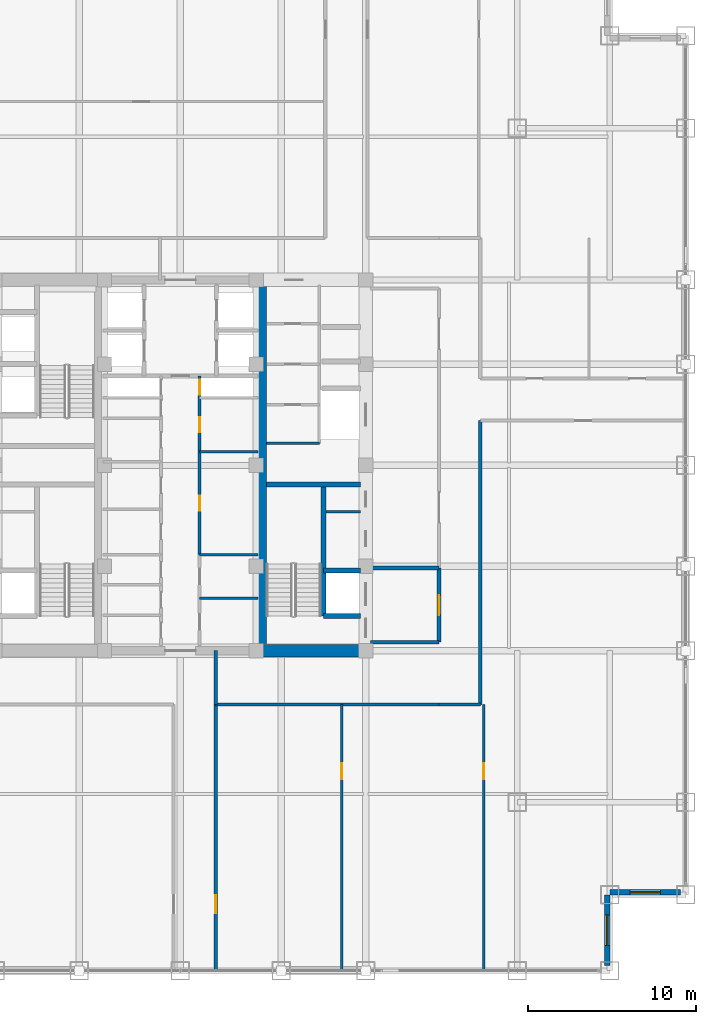
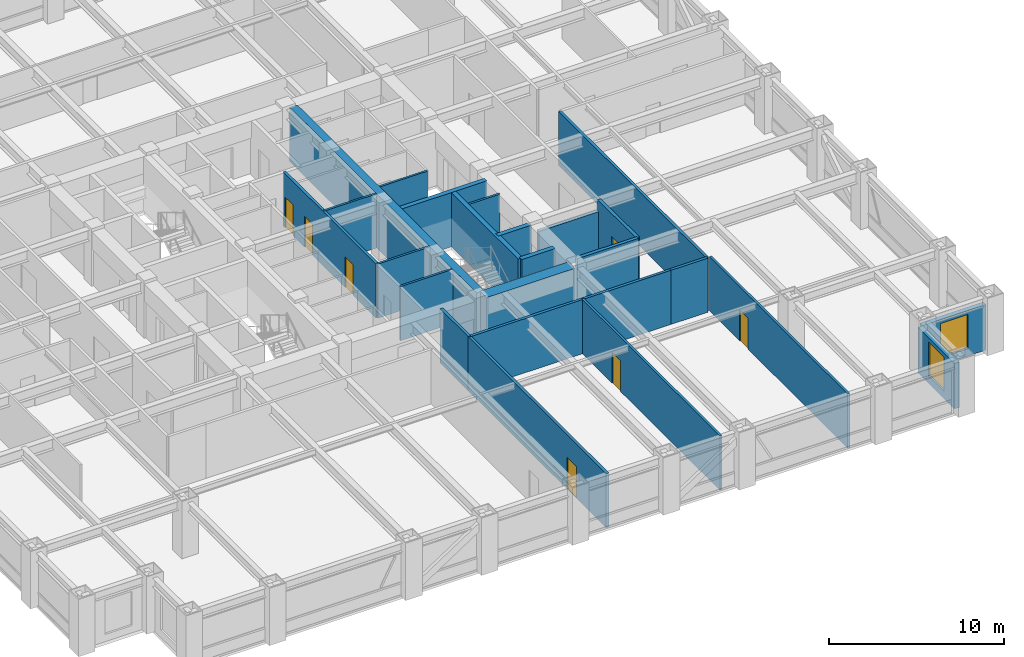
# One storey, part 21 of 25: 24 walls, 7 doors, 2 windows, 9 openings.
"""IFC4 building model written with IfcOpenShell, lengths in metres."""

from ifc_helpers import new_model, si_unit, direction, frame, frame_2d, origin, place, context, subcontext, project, spatial, rectangle, extrude, source, transform, mapped, material, layer, layer_set, type_object, element, fill, save


model = new_model("IFC4")

# Units and contexts
model_context = context("Model", 3, precision=1e-05, world=origin(), true_north=direction((0.0, 1.0)))
body_context = subcontext(model_context, "Body", "Model", "MODEL_VIEW")
ifc_project = project(units=[si_unit("LENGTHUNIT", "METRE"), si_unit("AREAUNIT", "SQUARE_METRE"), si_unit("VOLUMEUNIT", "CUBIC_METRE"), si_unit("PLANEANGLEUNIT", "RADIAN"), si_unit("MASSUNIT", "GRAM", prefix="KILO")], contexts=[model_context])

# Site, building, storey
site_placement = place(None, origin())
site = spatial("IfcSite", under=ifc_project, at=site_placement, CompositionType="ELEMENT")
building_placement = place(site_placement, origin())
building = spatial("IfcBuilding", under=site, at=building_placement, Name="Khorayat Bourse Tower", CompositionType="ELEMENT")
storey_placement = place(building_placement, frame((0.0, 0.0, 195.10009765625)))
storey = spatial("IfcBuildingStorey", under=building, at=storey_placement, Name="L45", CompositionType="ELEMENT", Elevation=195.10009765625)

# Walls
ifc_material_1 = material(Name="Concrete C52/65", Category="concrete")
ifc_layer_1 = layer(ifc_material_1, 0.5)
ifc_layer_set_1 = layer_set([ifc_layer_1], Name="Concrete C52/65")
wall_type_1 = type_object("IfcWallType", Name="WAL-CORE-500", PredefinedType="SHEAR", material=ifc_layer_set_1)
shared_shape_1 = source(origin(), body_context, "Body", "SweptSolid", [
    extrude(rectangle(XDim=21.39990234375, YDim=0.5, at=frame_2d((10.699951171875, 0.0))), origin(), (0.0, 0.0, 1.0), 3.77978515625),
])
wall_1_placement = place(storey_placement, frame((4.85009765625, -10.699951171875, 0.0), z_axis=(0.0, 0.0, 1.0), x_axis=(0.0, 1.0, 0.0)))
element("IfcWall", 1, at=wall_1_placement, inside=storey, type_object=wall_type_1, Name="L45 Core Shear Wall PIER-E", PredefinedType="SHEAR", context=body_context, shape_type="MappedRepresentation", body=[
    mapped(shared_shape_1, transform((0.0, 0.0, 0.0), scale=1.0)),
])
ifc_material_2 = material(Name="Concrete C72/90", Category="concrete")
ifc_layer_2 = layer(ifc_material_2, 0.75)
ifc_layer_set_2 = layer_set([ifc_layer_2], Name="Concrete C72/90")
wall_type_2 = type_object("IfcWallType", Name="WAL-CORE-750", PredefinedType="SHEAR", material=ifc_layer_set_2)
shared_shape_2 = source(origin(), body_context, "Body", "SweptSolid", [
    extrude(rectangle(XDim=5.849853515625, YDim=0.75, at=frame_2d((2.9248046875, 0.0))), origin(), (0.0, 0.0, 1.0), 3.77978515625),
])
wall_2_placement = place(storey_placement, frame((4.85009765625, -11.0, 0.0), z_axis=(0.0, 0.0, 1.0), x_axis=(1.0, 0.0, 0.0)))
element("IfcWall", 2, at=wall_2_placement, inside=storey, type_object=wall_type_2, Name="L45 Core Shear Wall PIER-ES", PredefinedType="SHEAR", context=body_context, shape_type="MappedRepresentation", body=[
    mapped(shared_shape_2, transform((0.0, 0.0, 0.0), scale=1.0)),
])
ifc_material_3 = material(Name="Concrete C50/60", Category="concrete")
ifc_layer_3 = layer(ifc_material_3, 0.300048828125)
ifc_layer_set_3 = layer_set([ifc_layer_3], Name="Concrete C50/60")
wall_type_3 = type_object("IfcWallType", Name="WAL-SHAFT-300", PredefinedType="SHEAR", material=ifc_layer_set_3)
shared_shape_3 = source(origin(), body_context, "Body", "SweptSolid", [
    extrude(rectangle(XDim=5.599853515625, YDim=0.300048828125, at=frame_2d((2.7998046875, 0.0))), origin(), (0.0, 0.0, 1.0), 3.77978515625),
])
wall_3_placement = place(storey_placement, frame((5.10009765625, -1.14990234375, 0.0), z_axis=(0.0, 0.0, 1.0), x_axis=(1.0, 0.0, 0.0)))
element("IfcWall", 3, at=wall_3_placement, inside=storey, type_object=wall_type_3, Name="L45 Core Shear Wall ST3-DIV", PredefinedType="SHEAR", context=body_context, shape_type="MappedRepresentation", body=[
    mapped(shared_shape_3, transform((0.0, 0.0, 0.0), scale=1.0)),
])

# Wall, opening, window
ifc_material_4 = material(Name="Precast concrete C45/55", Category="concrete")
ifc_layer_4 = layer(ifc_material_4, 0.320068359375)
ifc_layer_set_4 = layer_set([ifc_layer_4], Name="Precast concrete C45/55")
wall_type_4 = type_object("IfcWallType", Name="WAL-EXT-STONE-320", PredefinedType="STANDARD", material=ifc_layer_set_4)
shared_shape_4 = source(origin(), body_context, "Body", "SweptSolid", [
    extrude(rectangle(XDim=4.179931640625, YDim=0.320068359375, at=frame_2d((2.08984375, 0.0))), origin(), (0.0, 0.0, 1.0), 3.163818359375),
])
wall_4_placement = place(storey_placement, frame((25.340087890625, -29.679931640625, 0.0), z_axis=(0.0, 0.0, 1.0), x_axis=(0.0, 1.0, 0.0)))
wall_4 = element("IfcWall", 4, at=wall_4_placement, inside=storey, type_object=wall_type_4, Name="L45 Re-Entrant Notch Limestone Wall SE-V", PredefinedType="STANDARD", context=body_context, shape_type="MappedRepresentation", body=[
    mapped(shared_shape_4, transform((0.0, 0.0, 0.0), scale=1.0)),
])
shared_shape_5 = source(origin(), body_context, "Body", "SweptSolid", [
    extrude(rectangle(XDim=1.800048828125, YDim=2.39990234375, at=frame_2d((0.89990234375, 1.199951171875))), frame((0.0, 0.169921875, 0.0), z_axis=(0.0, -1.0, 0.0), x_axis=(1.0, 0.0, 0.0)), (0.0, 0.0, 1.0), 0.340087890625),
])
opening_1_placement = place(wall_4_placement, frame((1.18994140625, 0.0, 0.5)))
opening_1 = element("IfcOpeningElement", 5, at=opening_1_placement, cuts=wall_4, Name="Opening WN-04", PredefinedType="OPENING", context=body_context, shape_type="MappedRepresentation", body=[
    mapped(shared_shape_5, transform((0.0, 0.0, 0.0), scale=1.0)),
])
ifc_material_5 = material(Name="Low-E acoustic laminated double glazing", Category="glass")
window_type = type_object("IfcWindowType", Name="WIN-NOTCH-1800x2400", PartitioningType="SINGLE_PANEL", PredefinedType="WINDOW", material=ifc_material_5)
shared_shape_6 = source(origin(), body_context, "Body", "SweptSolid", [
    extrude(rectangle(XDim=1.800048828125, YDim=2.39990234375, at=frame_2d((0.89990234375, 1.199951171875))), frame((0.0, 0.030029296875, 0.0), z_axis=(0.0, -1.0, 0.0), x_axis=(1.0, 0.0, 0.0)), (0.0, 0.0, 1.0), 0.06005859375),
])
window_1_placement = place(opening_1_placement, origin())
window_1 = element("IfcWindow", 6, at=window_1_placement, inside=storey, type_object=window_type, Name="L45 Facade Window 1", OverallHeight=2.39990234375, OverallWidth=1.800048828125, PartitioningType="SINGLE_PANEL", PredefinedType="WINDOW", context=body_context, shape_type="MappedRepresentation", body=[
    mapped(shared_shape_6, transform((0.0, 0.0, 0.0), scale=1.0)),
])
fill(opening_1, window_1)

wall_5_placement = place(storey_placement, frame((25.5, -25.340087890625, 0.0), z_axis=(0.0, 0.0, 1.0), x_axis=(1.0, 0.0, 0.0)))
wall_5 = element("IfcWall", 7, at=wall_5_placement, inside=storey, type_object=wall_type_4, Name="L45 Re-Entrant Notch Limestone Wall SE-H", PredefinedType="STANDARD", context=body_context, shape_type="MappedRepresentation", body=[
    mapped(shared_shape_4, transform((0.0, 0.0, 0.0), scale=1.0)),
])
opening_2_placement = place(wall_5_placement, frame((1.18994140625, 0.0, 0.5)))
opening_2 = element("IfcOpeningElement", 8, at=opening_2_placement, cuts=wall_5, Name="Opening WN-04", PredefinedType="OPENING", context=body_context, shape_type="MappedRepresentation", body=[
    mapped(shared_shape_5, transform((0.0, 0.0, 0.0), scale=1.0)),
])
window_2_placement = place(opening_2_placement, origin())
window_2 = element("IfcWindow", 9, at=window_2_placement, inside=storey, type_object=window_type, Name="L45 Facade Window 1", OverallHeight=2.39990234375, OverallWidth=1.800048828125, PartitioningType="SINGLE_PANEL", PredefinedType="WINDOW", context=body_context, shape_type="MappedRepresentation", body=[
    mapped(shared_shape_6, transform((0.0, 0.0, 0.0), scale=1.0)),
])
fill(opening_2, window_2)

# Walls
shared_shape_7 = source(origin(), body_context, "Body", "SweptSolid", [
    extrude(rectangle(XDim=7.800048828125, YDim=0.300048828125, at=frame_2d((3.89990234375, 0.0))), origin(), (0.0, 0.0, 1.0), 3.77978515625),
])
wall_6_placement = place(storey_placement, frame((8.5, -8.949951171875, 0.0), z_axis=(0.0, 0.0, 1.0), x_axis=(0.0, 1.0, 0.0)))
element("IfcWall", 10, at=wall_6_placement, inside=storey, type_object=wall_type_3, Name="L45 Partition WAL-L45-EPIER-SP", PredefinedType="SHEAR", context=body_context, shape_type="MappedRepresentation", body=[
    mapped(shared_shape_7, transform((0.0, 0.0, 0.0), scale=1.0)),
])
shared_shape_8 = source(origin(), body_context, "Body", "SweptSolid", [
    extrude(rectangle(XDim=2.199951171875, YDim=0.300048828125, at=frame_2d((1.10009765625, 0.0))), origin(), (0.0, 0.0, 1.0), 3.77978515625),
])
for number, where, z_axis, x_axis, name in (
    (11, (8.5, -8.949951171875, 0.0), (0.0, 0.0, 1.0), (1.0, 0.0, 0.0), "L45 Partition WAL-L45-EPIER-FF2S"),
    (12, (8.5, -6.25, 0.0), (0.0, 0.0, 1.0), (1.0, 0.0, 0.0), "L45 Partition WAL-L45-EPIER-FF2N"),
):
    element("IfcWall", number, at=place(storey_placement, frame(where, z_axis=z_axis, x_axis=x_axis)), inside=storey, type_object=wall_type_3, Name=name, PredefinedType="SHEAR", context=body_context, shape_type="MappedRepresentation", body=[
        mapped(shared_shape_8, transform((0.0, 0.0, 0.0), scale=1.0)),
    ])
ifc_material_6 = material(Name="Gypsum plasterboard twin-frame partition")
ifc_layer_5 = layer(ifc_material_6, 0.14990234375)
ifc_layer_set_5 = layer_set([ifc_layer_5], Name="Gypsum plasterboard twin-frame partition")
wall_type_5 = type_object("IfcWallType", Name="WAL-PART-SUITE-150", PredefinedType="PARTITIONING", material=ifc_layer_set_5)
shared_shape_9 = source(origin(), body_context, "Body", "SweptSolid", [
    extrude(rectangle(XDim=2.050048828125, YDim=0.14990234375, at=frame_2d((1.02490234375, 0.0))), origin(), (0.0, 0.0, 1.0), 3.77978515625),
])
wall_7_placement = place(storey_placement, frame((8.64990234375, -2.75, 0.0), z_axis=(0.0, 0.0, 1.0), x_axis=(1.0, 0.0, 0.0)))
element("IfcWall", 13, at=wall_7_placement, inside=storey, type_object=wall_type_5, Name="L45 Partition WAL-L45-ESRV-D1", PredefinedType="PARTITIONING", context=body_context, shape_type="MappedRepresentation", body=[
    mapped(shared_shape_9, transform((0.0, 0.0, 0.0), scale=1.0)),
])
ifc_material_7 = material(Name="Moisture-resistant masonry partition", Category="masonry")
ifc_layer_6 = layer(ifc_material_7, 0.139892578125)
ifc_layer_set_6 = layer_set([ifc_layer_6], Name="Moisture-resistant masonry partition")
wall_type_6 = type_object("IfcWallType", Name="WAL-PART-WET-140", PredefinedType="PARTITIONING", material=ifc_layer_set_6)
shared_shape_10 = source(origin(), body_context, "Body", "SweptSolid", [
    extrude(rectangle(XDim=3.14990234375, YDim=0.139892578125, at=frame_2d((1.574951171875, 0.0))), origin(), (0.0, 0.0, 1.0), 3.77978515625),
])
wall_8_placement = place(storey_placement, frame((5.10009765625, 1.300048828125, 0.0), z_axis=(0.0, 0.0, 1.0), x_axis=(1.0, 0.0, 0.0)))
element("IfcWall", 14, at=wall_8_placement, inside=storey, type_object=wall_type_6, Name="L45 Partition WAL-L45-ECORE-S", PredefinedType="PARTITIONING", context=body_context, shape_type="MappedRepresentation", body=[
    mapped(shared_shape_10, transform((0.0, 0.0, 0.0), scale=1.0)),
])
ifc_material_8 = material(Name="Aerated concrete blockwork", Category="masonry")
ifc_layer_7 = layer(ifc_material_8, 0.219970703125)
ifc_layer_set_7 = layer_set([ifc_layer_7], Name="Aerated concrete blockwork")
wall_type_7 = type_object("IfcWallType", Name="WAL-PART-FF-220", PredefinedType="PARTITIONING", material=ifc_layer_set_7)
shared_shape_11 = source(origin(), body_context, "Body", "SweptSolid", [
    extrude(rectangle(XDim=4.050048828125, YDim=0.219970703125, at=frame_2d((2.02490234375, 0.0))), origin(), (0.0, 0.0, 1.0), 3.77978515625),
])
wall_9_placement = place(storey_placement, frame((11.300048828125, -10.5, 0.0), z_axis=(0.0, 0.0, 1.0), x_axis=(1.0, 0.0, 0.0)))
element("IfcWall", 15, at=wall_9_placement, inside=storey, type_object=wall_type_7, Name="L45 Partition WAL-L45-FFLE-S", PredefinedType="PARTITIONING", context=body_context, shape_type="MappedRepresentation", body=[
    mapped(shared_shape_11, transform((0.0, 0.0, 0.0), scale=1.0)),
])
shared_shape_12 = source(origin(), body_context, "Body", "SweptSolid", [
    extrude(rectangle(XDim=4.050048828125, YDim=0.219970703125, at=frame_2d((2.02490234375, 0.0))), origin(), (0.0, 0.0, 1.0), 3.0068359375),
])
wall_10_placement = place(storey_placement, frame((11.300048828125, -6.10009765625, 0.0), z_axis=(0.0, 0.0, 1.0), x_axis=(1.0, 0.0, 0.0)))
element("IfcWall", 16, at=wall_10_placement, inside=storey, type_object=wall_type_7, Name="L45 Partition WAL-L45-FFLE-N", PredefinedType="PARTITIONING", context=body_context, shape_type="MappedRepresentation", body=[
    mapped(shared_shape_12, transform((0.0, 0.0, 0.0), scale=1.0)),
])

# Wall, opening, door
shared_shape_13 = source(origin(), body_context, "Body", "SweptSolid", [
    extrude(rectangle(XDim=4.39990234375, YDim=0.219970703125, at=frame_2d((2.199951171875, 0.0))), origin(), (0.0, 0.0, 1.0), 3.77978515625),
])
wall_11_placement = place(storey_placement, frame((15.35009765625, -10.5, 0.0), z_axis=(0.0, 0.0, 1.0), x_axis=(0.0, 1.0, 0.0)))
wall_11 = element("IfcWall", 17, at=wall_11_placement, inside=storey, type_object=wall_type_7, Name="L45 Partition WAL-L45-FFLE-E", PredefinedType="PARTITIONING", context=body_context, shape_type="MappedRepresentation", body=[
    mapped(shared_shape_13, transform((0.0, 0.0, 0.0), scale=1.0)),
])
shared_shape_14 = source(origin(), body_context, "Body", "SweptSolid", [
    extrude(rectangle(XDim=1.199951171875, YDim=2.199951171875, at=frame_2d((0.60009765625, 1.10009765625))), frame((0.0, 0.119873046875, 0.0), z_axis=(0.0, -1.0, 0.0), x_axis=(1.0, 0.0, 0.0)), (0.0, 0.0, 1.0), 0.239990234375),
])
opening_3_placement = place(wall_11_placement, frame((1.60009765625, 0.0, 0.0)))
opening_3 = element("IfcOpeningElement", 18, at=opening_3_placement, cuts=wall_11, Name="Opening DI-02", PredefinedType="OPENING", context=body_context, shape_type="MappedRepresentation", body=[
    mapped(shared_shape_14, transform((0.0, 0.0, 0.0), scale=1.0)),
])
ifc_material_9 = material(Name="Fire-rated steel double-seal leaf", Category="steel")
door_type_1 = type_object("IfcDoorType", Name="DR-INT-FFLOBBY-1200", OperationType="NOTDEFINED", PredefinedType="DOOR", material=ifc_material_9)
shared_shape_15 = source(origin(), body_context, "Body", "SweptSolid", [
    extrude(rectangle(XDim=1.199951171875, YDim=2.199951171875, at=frame_2d((0.60009765625, 1.10009765625))), frame((0.0, 0.02490234375, 0.0), z_axis=(0.0, -1.0, 0.0), x_axis=(1.0, 0.0, 0.0)), (0.0, 0.0, 1.0), 0.050048828125),
])
door_1_placement = place(opening_3_placement, origin())
door_1 = element("IfcDoor", 19, at=door_1_placement, inside=storey, type_object=door_type_1, Name="L45 East Firefighting Lobby Door", OperationType="SINGLE_SWING_RIGHT", OverallHeight=2.199951171875, OverallWidth=1.199951171875, PredefinedType="DOOR", context=body_context, shape_type="MappedRepresentation", body=[
    mapped(shared_shape_15, transform((0.0, 0.0, 0.0), scale=1.0)),
])
fill(opening_3, door_1)

# Walls
shared_shape_16 = source(origin(), body_context, "Body", "SweptSolid", [
    extrude(rectangle(XDim=3.4501953125, YDim=0.14990234375, at=frame_2d((1.72509765625, 0.0))), origin(), (0.0, 0.0, 1.0), 3.77978515625),
])
wall_12_placement = place(storey_placement, frame((1.14990234375, -5.300048828125, 0.0), z_axis=(0.0, 0.0, 1.0), x_axis=(1.0, 0.0, 0.0)))
element("IfcWall", 20, at=wall_12_placement, inside=storey, type_object=wall_type_5, Name="L45 Partition WAL-L45-FB1-NE", PredefinedType="PARTITIONING", context=body_context, shape_type="MappedRepresentation", body=[
    mapped(shared_shape_16, transform((0.0, 0.0, 0.0), scale=1.0)),
])
shared_shape_17 = source(origin(), body_context, "Body", "SweptSolid", [
    extrude(rectangle(XDim=3.4501953125, YDim=0.139892578125, at=frame_2d((1.72509765625, 0.0))), origin(), (0.0, 0.0, 1.0), 3.77978515625),
])
for number, where, z_axis, x_axis, name in (
    (21, (1.14990234375, -7.89990234375, 0.0), (0.0, 0.0, 1.0), (1.0, 0.0, 0.0), "L45 Partition WAL-L45-FB1E-D1"),
    (22, (1.14990234375, 0.800048828125, 0.0), (0.0, 0.0, 1.0), (1.0, 0.0, 0.0), "L45 Partition WAL-L45-CME-D1"),
):
    element("IfcWall", number, at=place(storey_placement, frame(where, z_axis=z_axis, x_axis=x_axis)), inside=storey, type_object=wall_type_6, Name=name, PredefinedType="PARTITIONING", context=body_context, shape_type="MappedRepresentation", body=[
        mapped(shared_shape_17, transform((0.0, 0.0, 0.0), scale=1.0)),
    ])

# Wall, openings, doors
ifc_material_10 = material(Name="Gypsum plasterboard acoustic stud wall")
ifc_layer_8 = layer(ifc_material_10, 0.179931640625)
ifc_layer_set_8 = layer_set([ifc_layer_8], Name="Gypsum plasterboard acoustic stud wall")
wall_type_8 = type_object("IfcWallType", Name="WAL-PART-CORR-180", PredefinedType="PARTITIONING", material=ifc_layer_set_8)
shared_shape_18 = source(origin(), body_context, "Body", "SweptSolid", [
    extrude(rectangle(XDim=10.60009765625, YDim=0.179931640625, at=frame_2d((5.300048828125, 0.0))), origin(), (0.0, 0.0, 1.0), 3.77978515625),
])
wall_13_placement = place(storey_placement, frame((1.14990234375, -5.300048828125, 0.0), z_axis=(0.0, 0.0, 1.0), x_axis=(0.0, 1.0, 0.0)))
wall_13 = element("IfcWall", 23, at=wall_13_placement, inside=storey, type_object=wall_type_8, Name="L45 Partition WAL-L45-CME-L", PredefinedType="PARTITIONING", context=body_context, shape_type="MappedRepresentation", body=[
    mapped(shared_shape_18, transform((0.0, 0.0, 0.0), scale=1.0)),
])
shared_shape_19 = source(origin(), body_context, "Body", "SweptSolid", [
    extrude(rectangle(XDim=0.89990234375, YDim=2.14990234375, at=frame_2d((0.449951171875, 1.074951171875))), frame((0.0, 0.099853515625, 0.0), z_axis=(0.0, -1.0, 0.0), x_axis=(1.0, 0.0, 0.0)), (0.0, 0.0, 1.0), 0.199951171875),
])
opening_4_placement = place(wall_13_placement, frame((2.60009765625, 0.0, 0.0)))
opening_4 = element("IfcOpeningElement", 24, at=opening_4_placement, cuts=wall_13, Name="Opening DI-06", PredefinedType="OPENING", context=body_context, shape_type="MappedRepresentation", body=[
    mapped(shared_shape_19, transform((0.0, 0.0, 0.0), scale=1.0)),
])
opening_5_placement = place(wall_13_placement, frame((7.25, 0.0, 0.0)))
opening_5 = element("IfcOpeningElement", 25, at=opening_5_placement, cuts=wall_13, Name="Opening DI-06", PredefinedType="OPENING", context=body_context, shape_type="MappedRepresentation", body=[
    mapped(shared_shape_19, transform((0.0, 0.0, 0.0), scale=1.0)),
])
opening_6_placement = place(wall_13_placement, frame((9.47509765625, 0.0, 0.0)))
opening_6 = element("IfcOpeningElement", 26, at=opening_6_placement, cuts=wall_13, Name="Opening DI-06", PredefinedType="OPENING", context=body_context, shape_type="MappedRepresentation", body=[
    mapped(shared_shape_19, transform((0.0, 0.0, 0.0), scale=1.0)),
])
ifc_material_11 = material(Name="Moisture-resistant laminate washroom door")
door_type_2 = type_object("IfcDoorType", Name="DR-INT-WC-900", OperationType="NOTDEFINED", PredefinedType="DOOR", material=ifc_material_11)
shared_shape_20 = source(origin(), body_context, "Body", "SweptSolid", [
    extrude(rectangle(XDim=0.89990234375, YDim=2.14990234375, at=frame_2d((0.449951171875, 1.074951171875))), frame((0.0, 0.02490234375, 0.0), z_axis=(0.0, -1.0, 0.0), x_axis=(1.0, 0.0, 0.0)), (0.0, 0.0, 1.0), 0.050048828125),
])
door_2_placement = place(opening_4_placement, origin())
door_2 = element("IfcDoor", 27, at=door_2_placement, inside=storey, type_object=door_type_2, Name="L45 Female Core Washroom Door", OperationType="SINGLE_SWING_RIGHT", OverallHeight=2.14990234375, OverallWidth=0.89990234375, PredefinedType="DOOR", context=body_context, shape_type="MappedRepresentation", body=[
    mapped(shared_shape_20, transform((0.0, 0.0, 0.0), scale=1.0)),
])
fill(opening_4, door_2)
door_3_placement = place(opening_5_placement, origin())
door_3 = element("IfcDoor", 28, at=door_3_placement, inside=storey, type_object=door_type_2, Name="L45 Smoke Extract Fan Plant Room Door", OperationType="SINGLE_SWING_LEFT", OverallHeight=2.14990234375, OverallWidth=0.89990234375, PredefinedType="DOOR", context=body_context, shape_type="MappedRepresentation", body=[
    mapped(shared_shape_20, transform((0.0, 0.0, 0.0), scale=1.0)),
])
fill(opening_5, door_3)
door_4_placement = place(opening_6_placement, origin())
door_4 = element("IfcDoor", 29, at=door_4_placement, inside=storey, type_object=door_type_2, Name="L45 East Core Riser Door", OperationType="SINGLE_SWING_RIGHT", OverallHeight=2.14990234375, OverallWidth=0.89990234375, PredefinedType="DOOR", context=body_context, shape_type="MappedRepresentation", body=[
    mapped(shared_shape_20, transform((0.0, 0.0, 0.0), scale=1.0)),
])
fill(opening_6, door_4)

# Walls
shared_shape_21 = source(origin(), body_context, "Body", "SweptSolid", [
    extrude(rectangle(XDim=2.449951171875, YDim=0.179931640625, at=frame_2d((1.22509765625, 0.0))), origin(), (0.0, 0.0, 1.0), 3.77978515625),
])
wall_14_placement = place(storey_placement, frame((15.35009765625, -14.199951171875, 0.0), z_axis=(0.0, 0.0, 1.0), x_axis=(1.0, 0.0, 0.0)))
element("IfcWall", 30, at=wall_14_placement, inside=storey, type_object=wall_type_8, Name="L45 Partition WAL-L45-C2-ES", PredefinedType="PARTITIONING", context=body_context, shape_type="MappedRepresentation", body=[
    mapped(shared_shape_21, transform((0.0, 0.0, 0.0), scale=1.0)),
])
shared_shape_22 = source(origin(), body_context, "Body", "SweptSolid", [
    extrude(rectangle(XDim=3.199951171875, YDim=0.179931640625, at=frame_2d((1.60009765625, 0.0))), origin(), (0.0, 0.0, 1.0), 3.77978515625),
])
wall_15_placement = place(storey_placement, frame((2.10009765625, -14.199951171875, 0.0), z_axis=(0.0, 0.0, 1.0), x_axis=(0.0, 1.0, 0.0)))
element("IfcWall", 31, at=wall_15_placement, inside=storey, type_object=wall_type_8, Name="L45 Partition WAL-L45-C2-SCE", PredefinedType="PARTITIONING", context=body_context, shape_type="MappedRepresentation", body=[
    mapped(shared_shape_22, transform((0.0, 0.0, 0.0), scale=1.0)),
])

# Wall, opening, door
shared_shape_23 = source(origin(), body_context, "Body", "SweptSolid", [
    extrude(rectangle(XDim=15.800048828125, YDim=0.14990234375, at=frame_2d((7.89990234375, 0.0))), origin(), (0.0, 0.0, 1.0), 3.77978515625),
])
wall_16_placement = place(storey_placement, frame((9.587890625, -30.0, 0.0), z_axis=(0.0, 0.0, 1.0), x_axis=(0.0, 1.0, 0.0)))
wall_16 = element("IfcWall", 32, at=wall_16_placement, inside=storey, type_object=wall_type_5, Name="L45 Partition WAL-L45-QSEDV-1", PredefinedType="PARTITIONING", context=body_context, shape_type="MappedRepresentation", body=[
    mapped(shared_shape_23, transform((0.0, 0.0, 0.0), scale=1.0)),
])
shared_shape_24 = source(origin(), body_context, "Body", "SweptSolid", [
    extrude(rectangle(XDim=0.949951171875, YDim=2.14990234375, at=frame_2d((0.47509765625, 1.074951171875))), frame((0.0, 0.0849609375, 0.0), z_axis=(0.0, -1.0, 0.0), x_axis=(1.0, 0.0, 0.0)), (0.0, 0.0, 1.0), 0.169921875),
])
opening_7_placement = place(wall_16_placement, frame((11.375, 0.0, 0.0)))
opening_7 = element("IfcOpeningElement", 33, at=opening_7_placement, cuts=wall_16, Name="Opening DI-05", PredefinedType="OPENING", context=body_context, shape_type="MappedRepresentation", body=[
    mapped(shared_shape_24, transform((0.0, 0.0, 0.0), scale=1.0)),
])
ifc_material_12 = material(Name="Acoustic oak veneer office door")
door_type_3 = type_object("IfcDoorType", Name="DR-INT-OFFICE-950", OperationType="NOTDEFINED", PredefinedType="DOOR", material=ifc_material_12)
shared_shape_25 = source(origin(), body_context, "Body", "SweptSolid", [
    extrude(rectangle(XDim=0.949951171875, YDim=2.14990234375, at=frame_2d((0.47509765625, 1.074951171875))), frame((0.0, 0.02490234375, 0.0), z_axis=(0.0, -1.0, 0.0), x_axis=(1.0, 0.0, 0.0)), (0.0, 0.0, 1.0), 0.050048828125),
])
door_5_placement = place(opening_7_placement, origin())
door_5 = element("IfcDoor", 34, at=door_5_placement, inside=storey, type_object=door_type_3, Name="L45 South-East Suite Link 1", OperationType="SINGLE_SWING_RIGHT", OverallHeight=2.14990234375, OverallWidth=0.949951171875, PredefinedType="DOOR", context=body_context, shape_type="MappedRepresentation", body=[
    mapped(shared_shape_25, transform((0.0, 0.0, 0.0), scale=1.0)),
])
fill(opening_7, door_5)

wall_17_placement = place(storey_placement, frame((18.011962890625, -30.0, 0.0), z_axis=(0.0, 0.0, 1.0), x_axis=(0.0, 1.0, 0.0)))
wall_17 = element("IfcWall", 35, at=wall_17_placement, inside=storey, type_object=wall_type_5, Name="L45 Partition WAL-L45-QSEDV-2", PredefinedType="PARTITIONING", context=body_context, shape_type="MappedRepresentation", body=[
    mapped(shared_shape_23, transform((0.0, 0.0, 0.0), scale=1.0)),
])
opening_8_placement = place(wall_17_placement, frame((11.375, 0.0, 0.0)))
opening_8 = element("IfcOpeningElement", 36, at=opening_8_placement, cuts=wall_17, Name="Opening DI-05", PredefinedType="OPENING", context=body_context, shape_type="MappedRepresentation", body=[
    mapped(shared_shape_24, transform((0.0, 0.0, 0.0), scale=1.0)),
])
door_6_placement = place(opening_8_placement, origin())
door_6 = element("IfcDoor", 37, at=door_6_placement, inside=storey, type_object=door_type_3, Name="L45 South-East Suite Link 2", OperationType="SINGLE_SWING_LEFT", OverallHeight=2.14990234375, OverallWidth=0.949951171875, PredefinedType="DOOR", context=body_context, shape_type="MappedRepresentation", body=[
    mapped(shared_shape_25, transform((0.0, 0.0, 0.0), scale=1.0)),
])
fill(opening_8, door_6)

shared_shape_26 = source(origin(), body_context, "Body", "SweptSolid", [
    extrude(rectangle(XDim=15.800048828125, YDim=0.179931640625, at=frame_2d((7.89990234375, 0.0))), origin(), (0.0, 0.0, 1.0), 3.77978515625),
])
wall_18_placement = place(storey_placement, frame((2.10009765625, -30.0, 0.0), z_axis=(0.0, 0.0, 1.0), x_axis=(0.0, 1.0, 0.0)))
wall_18 = element("IfcWall", 38, at=wall_18_placement, inside=storey, type_object=wall_type_8, Name="L45 Partition WAL-L45-QSE-SPK", PredefinedType="PARTITIONING", context=body_context, shape_type="MappedRepresentation", body=[
    mapped(shared_shape_26, transform((0.0, 0.0, 0.0), scale=1.0)),
])
shared_shape_27 = source(origin(), body_context, "Body", "SweptSolid", [
    extrude(rectangle(XDim=1.050048828125, YDim=2.199951171875, at=frame_2d((0.52490234375, 1.10009765625))), frame((0.0, 0.099853515625, 0.0), z_axis=(0.0, -1.0, 0.0), x_axis=(1.0, 0.0, 0.0)), (0.0, 0.0, 1.0), 0.199951171875),
])
opening_9_placement = place(wall_18_placement, frame((3.425048828125, 0.0, 0.0)))
opening_9 = element("IfcOpeningElement", 39, at=opening_9_placement, cuts=wall_18, Name="Opening DI-04", PredefinedType="OPENING", context=body_context, shape_type="MappedRepresentation", body=[
    mapped(shared_shape_27, transform((0.0, 0.0, 0.0), scale=1.0)),
])
ifc_material_13 = material(Name="Fire-rated oak veneer suite entrance door")
door_type_4 = type_object("IfcDoorType", Name="DR-INT-SUITE-1050", OperationType="NOTDEFINED", PredefinedType="DOOR", material=ifc_material_13)
shared_shape_28 = source(origin(), body_context, "Body", "SweptSolid", [
    extrude(rectangle(XDim=1.050048828125, YDim=2.199951171875, at=frame_2d((0.52490234375, 1.10009765625))), frame((0.0, 0.02490234375, 0.0), z_axis=(0.0, -1.0, 0.0), x_axis=(1.0, 0.0, 0.0)), (0.0, 0.0, 1.0), 0.050048828125),
])
door_7_placement = place(opening_9_placement, origin())
door_7 = element("IfcDoor", 40, at=door_7_placement, inside=storey, type_object=door_type_4, Name="L45 South-East Radial Spoke Entry", OperationType="SINGLE_SWING_LEFT", OverallHeight=2.199951171875, OverallWidth=1.050048828125, PredefinedType="DOOR", context=body_context, shape_type="MappedRepresentation", body=[
    mapped(shared_shape_28, transform((0.0, 0.0, 0.0), scale=1.0)),
])
fill(opening_9, door_7)

# Walls
shared_shape_29 = source(origin(), body_context, "Body", "SweptSolid", [
    extrude(rectangle(XDim=13.25, YDim=0.179931640625, at=frame_2d((6.625, 0.0))), origin(), (0.0, 0.0, 1.0), 3.77978515625),
])
wall_19_placement = place(storey_placement, frame((2.10009765625, -14.199951171875, 0.0), z_axis=(0.0, 0.0, 1.0), x_axis=(1.0, 0.0, 0.0)))
element("IfcWall", 41, at=wall_19_placement, inside=storey, type_object=wall_type_8, Name="L45 Partition WAL-L45-QSE-HC", PredefinedType="PARTITIONING", context=body_context, shape_type="MappedRepresentation", body=[
    mapped(shared_shape_29, transform((0.0, 0.0, 0.0), scale=1.0)),
])
shared_shape_30 = source(origin(), body_context, "Body", "SweptSolid", [
    extrude(rectangle(XDim=16.849853515625, YDim=0.179931640625, at=frame_2d((8.4248046875, 0.0))), origin(), (0.0, 0.0, 1.0), 3.77978515625),
])
wall_20_placement = place(storey_placement, frame((17.800048828125, -14.199951171875, 0.0), z_axis=(0.0, 0.0, 1.0), x_axis=(0.0, 1.0, 0.0)))
element("IfcWall", 42, at=wall_20_placement, inside=storey, type_object=wall_type_8, Name="L45 Partition WAL-L45-ES-IN", PredefinedType="PARTITIONING", context=body_context, shape_type="MappedRepresentation", body=[
    mapped(shared_shape_30, transform((0.0, 0.0, 0.0), scale=1.0)),
])

save(model, "model.ifc")
